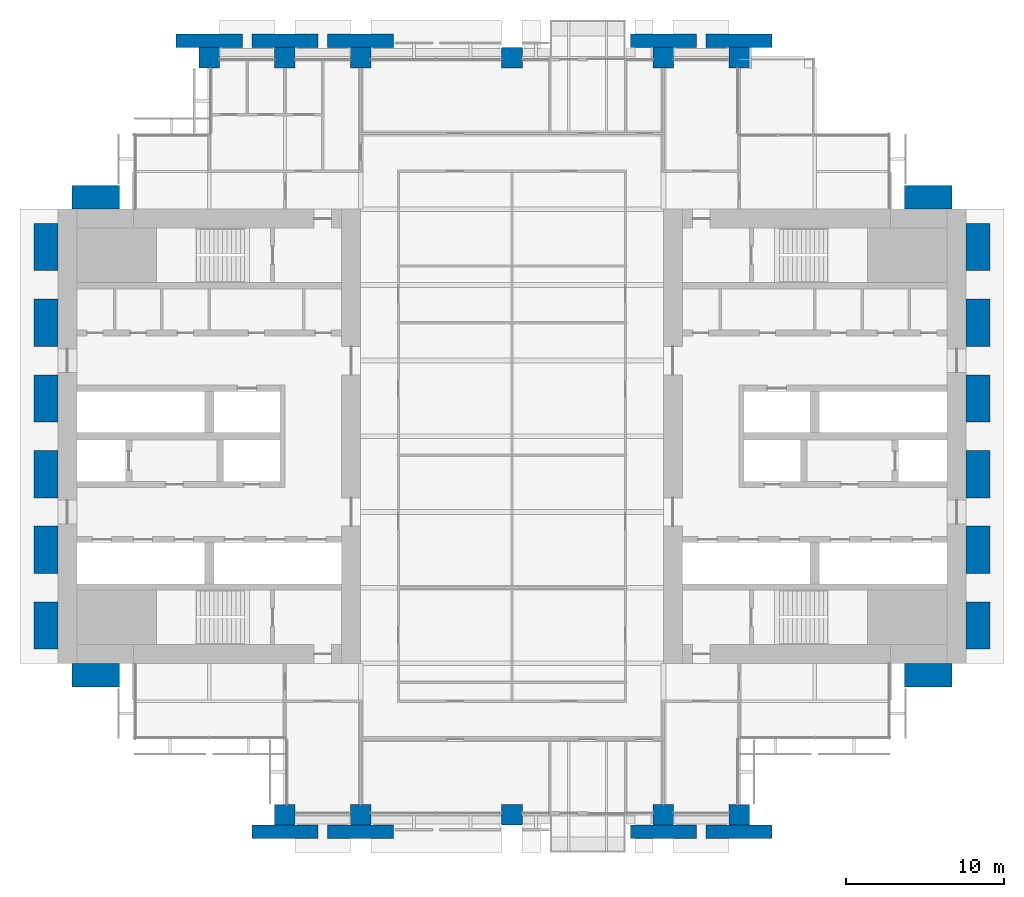
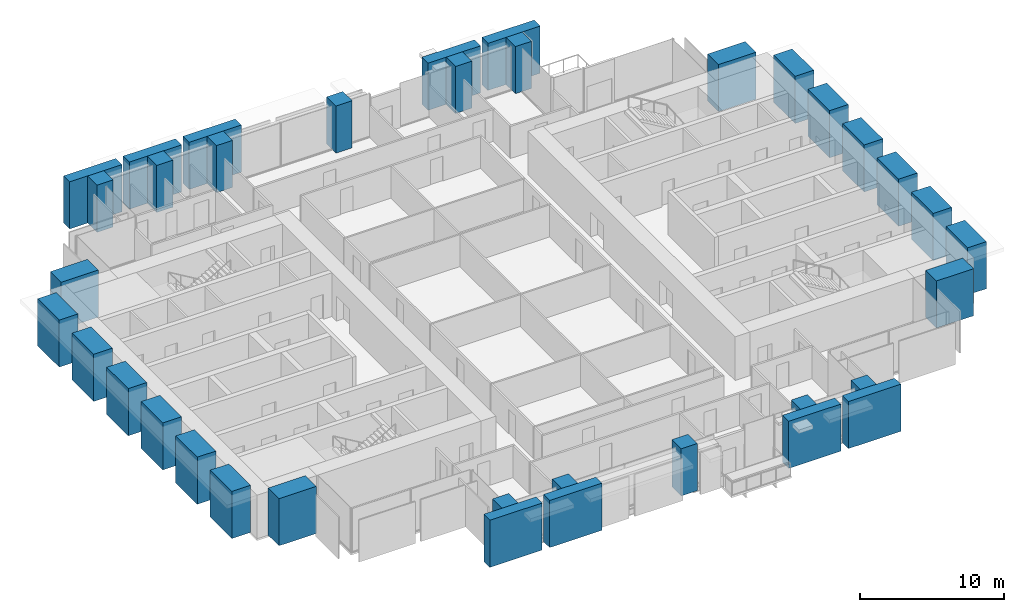
# One storey, part 1 of 15: 36 columns.
"""IFC4 building model written with IfcOpenShell, lengths in metres."""

from ifc_helpers import new_model, si_unit, direction, frame, origin, origin_2d, place, context, subcontext, project, spatial, rectangle, extrude, material, material_profile, profile_set, type_object, element, save


model = new_model("IFC4")

# Units and contexts
model_context = context("Model", 3, precision=1e-05, world=origin(), true_north=direction((0.0, 1.0)))
body_context = subcontext(model_context, "Body", "Model", "MODEL_VIEW")
ifc_project = project(units=[si_unit("LENGTHUNIT", "METRE"), si_unit("AREAUNIT", "SQUARE_METRE"), si_unit("VOLUMEUNIT", "CUBIC_METRE"), si_unit("PLANEANGLEUNIT", "RADIAN"), si_unit("MASSUNIT", "GRAM", prefix="KILO")], contexts=[model_context])

# Site, building, storey
site_placement = place(None, origin())
site = spatial("IfcSite", under=ifc_project, at=site_placement, CompositionType="ELEMENT")
building_placement = place(site_placement, origin())
building = spatial("IfcBuilding", under=site, at=building_placement, Name="Baori Bourse Tower", CompositionType="ELEMENT")
storey_placement = place(building_placement, frame((0.0, 0.0, 83.0)))
storey = spatial("IfcBuildingStorey", under=building, at=storey_placement, Name="L18", CompositionType="ELEMENT", Elevation=83.0)

# Columns
ifc_material_1 = material(Name="Concrete f'c 60 MPa", Category="concrete")
ifc_material_profile_1 = material_profile(ifc_material_1, rectangle(XDim=4.199951171875, YDim=0.85009765625, at=origin_2d()), Name="RC 4200x850")
ifc_profile_set_1 = profile_set([ifc_material_profile_1], Name="Concrete f'c 60 MPa")
column_type_1 = type_object("IfcColumnType", Name="FN3 Brick pilaster 4200x850", PredefinedType="PILASTER", material=ifc_profile_set_1)
for number, where, z_axis, x_axis, name in (
    (1, (14.39990234375, -1.074951171875, 0.0), (0.0, 0.0, 1.0), (1.0, 0.0, 0.0), "Brick pilaster L18 17"),
    (2, (19.199951171875, -1.074951171875, 0.0), (0.0, 0.0, 1.0), (1.0, 0.0, 0.0), "Brick pilaster L18 18"),
    (3, (38.39990234375, -1.074951171875, 0.0), (0.0, 0.0, 1.0), (1.0, 0.0, 0.0), "Brick pilaster L18 19"),
    (4, (43.199951171875, -1.074951171875, 0.0), (0.0, 0.0, 1.0), (1.0, 0.0, 0.0), "Brick pilaster L18 20"),
    (5, (9.60009765625, 49.074951171875, 0.0), (0.0, 0.0, 1.0), (1.0, 0.0, 0.0), "Brick pilaster L18 21"),
    (6, (14.39990234375, 49.074951171875, 0.0), (0.0, 0.0, 1.0), (1.0, 0.0, 0.0), "Brick pilaster L18 22"),
    (7, (19.199951171875, 49.074951171875, 0.0), (0.0, 0.0, 1.0), (1.0, 0.0, 0.0), "Brick pilaster L18 23"),
    (8, (38.39990234375, 49.074951171875, 0.0), (0.0, 0.0, 1.0), (1.0, 0.0, 0.0), "Brick pilaster L18 24"),
    (9, (43.199951171875, 49.074951171875, 0.0), (0.0, 0.0, 1.0), (1.0, 0.0, 0.0), "Brick pilaster L18 25"),
):
    element("IfcColumn", number, at=place(storey_placement, frame(where, z_axis=z_axis, x_axis=x_axis)), inside=storey, type_object=column_type_1, Name=name, PredefinedType="PILASTER", context=body_context, shape_type="SweptSolid", body=[
        extrude(rectangle(XDim=4.199951171875, YDim=0.85009765625, at=origin_2d()), origin(), (0.0, 0.0, 1.0), 4.0),
    ])
ifc_material_2 = material(Name="Concrete f'c 60 MPa", Category="concrete")
ifc_material_profile_2 = material_profile(ifc_material_2, rectangle(XDim=3.0, YDim=1.5, at=origin_2d()), Name="RC 3000x1500")
ifc_profile_set_2 = profile_set([ifc_material_profile_2], Name="Concrete f'c 60 MPa")
column_type_2 = type_object("IfcColumnType", Name="FN4 Brick flank pilaster 3000x1500", PredefinedType="PILASTER", material=ifc_profile_set_2)
for number, where, z_axis, x_axis, name in (
    (10, (55.199951171875, 8.85009765625, 0.0), (0.0, 0.0, 1.0), (1.0, 0.0, 0.0), "Brick pilaster L18 1"),
    (11, (58.35009765625, 12.0, 0.0), (0.0, 0.0, 1.0), (0.0, 1.0, 0.0), "Brick pilaster L18 2"),
    (12, (58.35009765625, 16.800048828125, 0.0), (0.0, 0.0, 1.0), (0.0, 1.0, 0.0), "Brick pilaster L18 3"),
    (13, (58.35009765625, 21.60009765625, 0.0), (0.0, 0.0, 1.0), (0.0, 1.0, 0.0), "Brick pilaster L18 4"),
    (14, (58.35009765625, 26.39990234375, 0.0), (0.0, 0.0, 1.0), (0.0, 1.0, 0.0), "Brick pilaster L18 5"),
    (15, (58.35009765625, 31.199951171875, 0.0), (0.0, 0.0, 1.0), (0.0, 1.0, 0.0), "Brick pilaster L18 6"),
    (16, (58.35009765625, 36.0, 0.0), (0.0, 0.0, 1.0), (0.0, 1.0, 0.0), "Brick pilaster L18 7"),
    (17, (55.199951171875, 39.14990234375, 0.0), (0.0, 0.0, 1.0), (1.0, 0.0, 0.0), "Brick pilaster L18 8"),
    (18, (2.39990234375, 39.14990234375, 0.0), (0.0, 0.0, 1.0), (1.0, 0.0, 0.0), "Brick pilaster L18 9"),
    (19, (-0.75, 12.0, 0.0), (0.0, 0.0, 1.0), (0.0, 1.0, 0.0), "Brick pilaster L18 10"),
    (20, (-0.75, 16.800048828125, 0.0), (0.0, 0.0, 1.0), (0.0, 1.0, 0.0), "Brick pilaster L18 11"),
    (21, (-0.75, 21.60009765625, 0.0), (0.0, 0.0, 1.0), (0.0, 1.0, 0.0), "Brick pilaster L18 12"),
    (22, (-0.75, 26.39990234375, 0.0), (0.0, 0.0, 1.0), (0.0, 1.0, 0.0), "Brick pilaster L18 13"),
    (23, (-0.75, 31.199951171875, 0.0), (0.0, 0.0, 1.0), (0.0, 1.0, 0.0), "Brick pilaster L18 14"),
    (24, (-0.75, 36.0, 0.0), (0.0, 0.0, 1.0), (0.0, 1.0, 0.0), "Brick pilaster L18 15"),
    (25, (2.39990234375, 8.85009765625, 0.0), (0.0, 0.0, 1.0), (1.0, 0.0, 0.0), "Brick pilaster L18 16"),
):
    element("IfcColumn", number, at=place(storey_placement, frame(where, z_axis=z_axis, x_axis=x_axis)), inside=storey, type_object=column_type_2, Name=name, PredefinedType="PILASTER", context=body_context, shape_type="SweptSolid", body=[
        extrude(rectangle(XDim=3.0, YDim=1.5, at=origin_2d()), origin(), (0.0, 0.0, 1.0), 4.0),
    ])
ifc_material_3 = material(Name="Concrete f'c 70 MPa", Category="concrete")
ifc_material_profile_3 = material_profile(ifc_material_3, rectangle(XDim=1.300048828125, YDim=1.300048828125, at=origin_2d()), Name="RC 1300x1300")
ifc_profile_set_3 = profile_set([ifc_material_profile_3], Name="Concrete f'c 70 MPa")
column_type_3 = type_object("IfcColumnType", Name="Perimeter column RC 1300x1300", PredefinedType="COLUMN", material=ifc_profile_set_3)
for number, where, z_axis, x_axis, name in (
    (26, (14.39990234375, 0.0, 0.0), (0.0, 0.0, 1.0), (1.0, 0.0, 0.0), "Perimeter column L18"),
    (27, (19.199951171875, 0.0, 0.0), (0.0, 0.0, 1.0), (1.0, 0.0, 0.0), "Perimeter column L18"),
    (28, (28.800048828125, 0.0, 0.0), (0.0, 0.0, 1.0), (1.0, 0.0, 0.0), "Perimeter column L18"),
    (29, (38.39990234375, 0.0, 0.0), (0.0, 0.0, 1.0), (1.0, 0.0, 0.0), "Perimeter column L18"),
    (30, (43.199951171875, 0.0, 0.0), (0.0, 0.0, 1.0), (1.0, 0.0, 0.0), "Perimeter column L18"),
    (31, (9.60009765625, 48.0, 0.0), (0.0, 0.0, 1.0), (1.0, 0.0, 0.0), "Perimeter column L18"),
    (32, (14.39990234375, 48.0, 0.0), (0.0, 0.0, 1.0), (1.0, 0.0, 0.0), "Perimeter column L18"),
    (33, (19.199951171875, 48.0, 0.0), (0.0, 0.0, 1.0), (1.0, 0.0, 0.0), "Perimeter column L18"),
    (34, (28.800048828125, 48.0, 0.0), (0.0, 0.0, 1.0), (1.0, 0.0, 0.0), "Perimeter column L18"),
    (35, (38.39990234375, 48.0, 0.0), (0.0, 0.0, 1.0), (1.0, 0.0, 0.0), "Perimeter column L18"),
    (36, (43.199951171875, 48.0, 0.0), (0.0, 0.0, 1.0), (1.0, 0.0, 0.0), "Perimeter column L18"),
):
    element("IfcColumn", number, at=place(storey_placement, frame(where, z_axis=z_axis, x_axis=x_axis)), inside=storey, type_object=column_type_3, Name=name, PredefinedType="COLUMN", context=body_context, shape_type="SweptSolid", body=[
        extrude(rectangle(XDim=1.300048828125, YDim=1.300048828125, at=origin_2d()), origin(), (0.0, 0.0, 1.0), 4.0),
    ])

save(model, "model.ifc")
